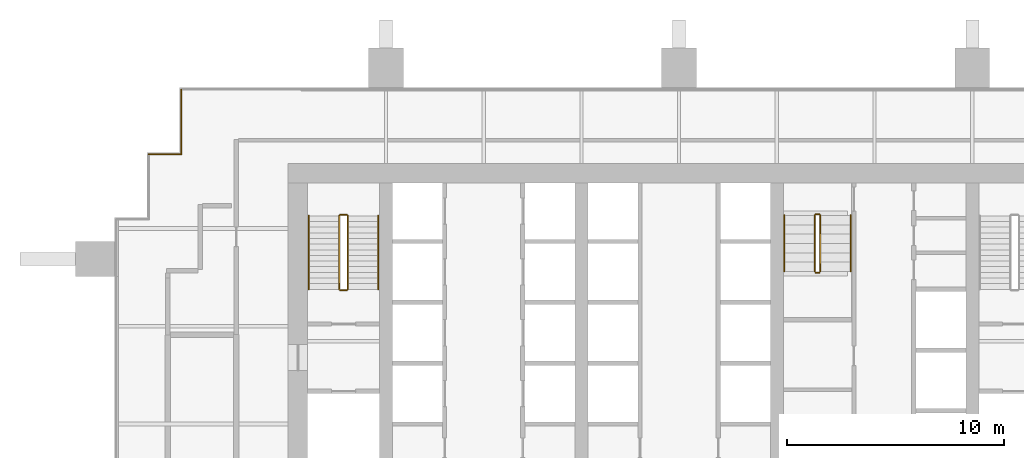
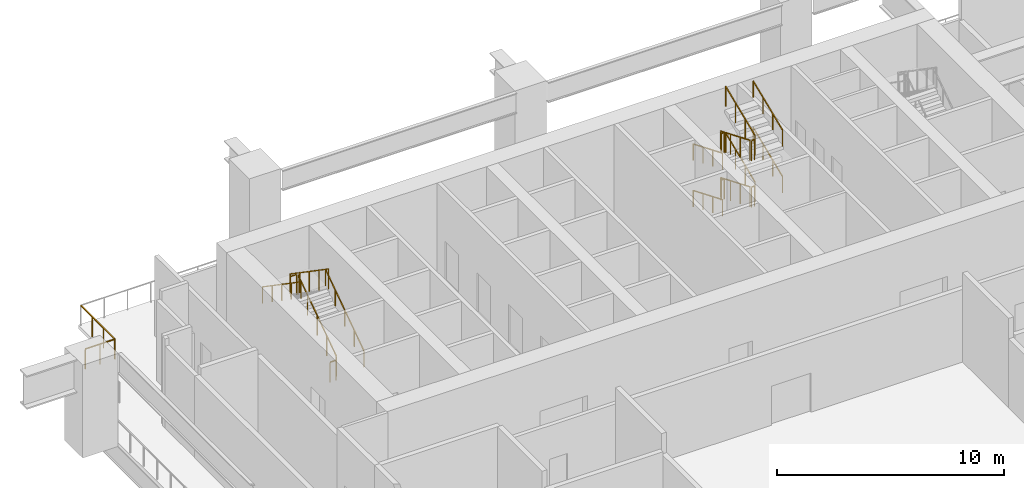
# One storey, part 7 of 9: 20 railings.
"""IFC4 building model written with IfcOpenShell, lengths in metres."""

from ifc_helpers import new_model, si_unit, direction, frame, origin, origin_2d, place, context, subcontext, project, spatial, rectangle, extrude, material, type_object, element, save


model = new_model("IFC4")

# Units and contexts
model_context = context("Model", 3, precision=1e-05, world=origin(), true_north=direction((0.0, 1.0)))
body_context = subcontext(model_context, "Body", "Model", "MODEL_VIEW")
ifc_project = project(units=[si_unit("LENGTHUNIT", "METRE"), si_unit("AREAUNIT", "SQUARE_METRE"), si_unit("VOLUMEUNIT", "CUBIC_METRE"), si_unit("PLANEANGLEUNIT", "RADIAN"), si_unit("MASSUNIT", "GRAM", prefix="KILO")], contexts=[model_context])

# Site, building, storey
site_placement = place(None, origin())
site = spatial("IfcSite", under=ifc_project, at=site_placement, CompositionType="ELEMENT")
building_placement = place(site_placement, origin())
building = spatial("IfcBuilding", under=site, at=building_placement, Name="Rattan Terrace Tower", CompositionType="ELEMENT")
storey_placement = place(building_placement, frame((0.0, 0.0, 115.699951171875)))
storey = spatial("IfcBuildingStorey", under=building, at=storey_placement, Name="L26", CompositionType="ELEMENT", Elevation=115.699951171875)

# Railings
ifc_material_1 = material(Name="Powder-coated steel guard", Category="steel")
railing_type_1 = type_object("IfcRailingType", Name="Core stair guard", PredefinedType="GUARDRAIL", material=ifc_material_1)
railing_1_placement = place(storey_placement, frame((-15.25, 1.699951171875, 0.1787109375)))
element("IfcRailing", 1, at=railing_1_placement, inside=storey, type_object=railing_type_1, Name="L26 S1 stair guard 1", PredefinedType="GUARDRAIL", context=body_context, shape_type="SweptSolid", body=[
    extrude(rectangle(XDim=0.048095703125, YDim=0.048095703125, at=origin_2d()), frame((0.0, 0.0, 1.076171875), z_axis=(0.0, 0.824331935682, 0.566106756552), x_axis=(-1.0, 0.0, 0.0)), (0.0, 0.0, 1.0), 4.100341796875),
    extrude(rectangle(XDim=0.0419921875, YDim=0.0419921875, at=origin_2d()), origin(), (0.0, 0.0, 1.0), 1.052001953125),
    extrude(rectangle(XDim=0.0419921875, YDim=0.0419921875, at=origin_2d()), frame((0.0, 0.844970703125, 0.580322265625)), (0.0, 0.0, 1.0), 1.052001953125),
    extrude(rectangle(XDim=0.0419921875, YDim=0.0419921875, at=origin_2d()), frame((0.0, 1.68994140625, 1.16064453125)), (0.0, 0.0, 1.0), 1.052001953125),
    extrude(rectangle(XDim=0.0419921875, YDim=0.0419921875, at=origin_2d()), frame((0.0, 2.53515625, 1.740966796875)), (0.0, 0.0, 1.0), 1.052001953125),
    extrude(rectangle(XDim=0.0419921875, YDim=0.0419921875, at=origin_2d()), frame((0.0, 3.380126953125, 2.3212890625)), (0.0, 0.0, 1.0), 1.052001953125),
])
railing_2_placement = place(storey_placement, frame((-15.300048828125, 5.1298828125, 2.5)))
element("IfcRailing", 2, at=railing_2_placement, inside=storey, type_object=railing_type_1, Name="L26 S1 stair guard 2", PredefinedType="GUARDRAIL", context=body_context, shape_type="SweptSolid", body=[
    extrude(rectangle(XDim=0.048095703125, YDim=0.048095703125, at=origin_2d()), frame((0.0, 0.0, 1.076171875), z_axis=(-1.0, 0.0, 0.0), x_axis=(0.0, -1.0, 0.0)), (0.0, 0.0, 1.0), 0.300048828125),
    extrude(rectangle(XDim=0.0419921875, YDim=0.0419921875, at=origin_2d()), origin(), (0.0, 0.0, 1.0), 1.052001953125),
    extrude(rectangle(XDim=0.0419921875, YDim=0.0419921875, at=origin_2d()), frame((-0.300048828125, 0.0, 0.0)), (0.0, 0.0, 1.0), 1.052001953125),
])
railing_3_placement = place(storey_placement, frame((-15.64990234375, 5.080078125, 2.6787109375)))
element("IfcRailing", 3, at=railing_3_placement, inside=storey, type_object=railing_type_1, Name="L26 S1 stair guard 3", PredefinedType="GUARDRAIL", context=body_context, shape_type="SweptSolid", body=[
    extrude(rectangle(XDim=0.048095703125, YDim=0.048095703125, at=origin_2d()), frame((0.0, 0.0, 1.076171875), z_axis=(0.0, -0.824331935682, 0.566106756552), x_axis=(1.0, 0.0, 0.0)), (0.0, 0.0, 1.0), 4.100341796875),
    extrude(rectangle(XDim=0.0419921875, YDim=0.0419921875, at=origin_2d()), origin(), (0.0, 0.0, 1.0), 1.052001953125),
    extrude(rectangle(XDim=0.0419921875, YDim=0.0419921875, at=origin_2d()), frame((0.0, -0.844970703125, 0.580322265625)), (0.0, 0.0, 1.0), 1.052001953125),
    extrude(rectangle(XDim=0.0419921875, YDim=0.0419921875, at=origin_2d()), frame((0.0, -1.68994140625, 1.16064453125)), (0.0, 0.0, 1.0), 1.052001953125),
    extrude(rectangle(XDim=0.0419921875, YDim=0.0419921875, at=origin_2d()), frame((0.0, -2.53515625, 1.740966796875)), (0.0, 0.0, 1.0), 1.052001953125),
    extrude(rectangle(XDim=0.0419921875, YDim=0.0419921875, at=origin_2d()), frame((0.0, -3.380126953125, 2.3212890625)), (0.0, 0.0, 1.0), 1.052001953125),
])
railing_4_placement = place(storey_placement, frame((-15.300048828125, 1.64990234375, 0.0)))
element("IfcRailing", 4, at=railing_4_placement, inside=storey, type_object=railing_type_1, Name="L26 S1 stair guard 4", PredefinedType="GUARDRAIL", context=body_context, shape_type="SweptSolid", body=[
    extrude(rectangle(XDim=0.048095703125, YDim=0.048095703125, at=origin_2d()), frame((0.0, 0.0, 1.076171875), z_axis=(-1.0, 0.0, 0.0), x_axis=(0.0, -1.0, 0.0)), (0.0, 0.0, 1.0), 0.300048828125),
    extrude(rectangle(XDim=0.0419921875, YDim=0.0419921875, at=origin_2d()), origin(), (0.0, 0.0, 1.0), 1.052001953125),
    extrude(rectangle(XDim=0.0419921875, YDim=0.0419921875, at=origin_2d()), frame((-0.300048828125, 0.0, 0.0)), (0.0, 0.0, 1.0), 1.052001953125),
])
railing_5_placement = place(storey_placement, frame((6.25, 5.10009765625, 0.1787109375)))
element("IfcRailing", 5, at=railing_5_placement, inside=storey, type_object=railing_type_1, Name="L26 S3 stair guard 1", PredefinedType="GUARDRAIL", context=body_context, shape_type="SweptSolid", body=[
    extrude(rectangle(XDim=0.048095703125, YDim=0.048095703125, at=origin_2d()), frame((0.0, 0.0, 1.076171875), z_axis=(0.0, -0.923551956913, 0.383473314433), x_axis=(1.0, 0.0, 0.0)), (0.0, 0.0, 1.0), 2.793701171875),
    extrude(rectangle(XDim=0.0419921875, YDim=0.0419921875, at=origin_2d()), origin(), (0.0, 0.0, 1.0), 1.052001953125),
    extrude(rectangle(XDim=0.0419921875, YDim=0.0419921875, at=origin_2d()), frame((0.0, -0.860107421875, 0.357177734375)), (0.0, 0.0, 1.0), 1.052001953125),
    extrude(rectangle(XDim=0.0419921875, YDim=0.0419921875, at=origin_2d()), frame((0.0, -1.719970703125, 0.714111328125)), (0.0, 0.0, 1.0), 1.052001953125),
    extrude(rectangle(XDim=0.0419921875, YDim=0.0419921875, at=origin_2d()), frame((0.0, -2.580078125, 1.0712890625)), (0.0, 0.0, 1.0), 1.052001953125),
])
railing_6_placement = place(storey_placement, frame((6.300048828125, 2.469970703125, 1.25)))
element("IfcRailing", 6, at=railing_6_placement, inside=storey, type_object=railing_type_1, Name="L26 S3 stair guard 2", PredefinedType="GUARDRAIL", context=body_context, shape_type="SweptSolid", body=[
    extrude(rectangle(XDim=0.048095703125, YDim=0.048095703125, at=origin_2d()), frame((0.0, 0.0, 1.076171875), z_axis=(1.0, 0.0, 0.0), x_axis=(0.0, 1.0, 0.0)), (0.0, 0.0, 1.0), 0.14990234375),
    extrude(rectangle(XDim=0.0419921875, YDim=0.0419921875, at=origin_2d()), origin(), (0.0, 0.0, 1.0), 1.052001953125),
    extrude(rectangle(XDim=0.0419921875, YDim=0.0419921875, at=origin_2d()), frame((0.14990234375, 0.0, 0.0)), (0.0, 0.0, 1.0), 1.052001953125),
])
railing_7_placement = place(storey_placement, frame((6.5, 2.52001953125, 1.4287109375)))
element("IfcRailing", 7, at=railing_7_placement, inside=storey, type_object=railing_type_1, Name="L26 S3 stair guard 3", PredefinedType="GUARDRAIL", context=body_context, shape_type="SweptSolid", body=[
    extrude(rectangle(XDim=0.048095703125, YDim=0.048095703125, at=origin_2d()), frame((0.0, 0.0, 1.076171875), z_axis=(0.0, 0.923551956913, 0.383473314433), x_axis=(-1.0, 0.0, 0.0)), (0.0, 0.0, 1.0), 2.793701171875),
    extrude(rectangle(XDim=0.0419921875, YDim=0.0419921875, at=origin_2d()), origin(), (0.0, 0.0, 1.0), 1.052001953125),
    extrude(rectangle(XDim=0.0419921875, YDim=0.0419921875, at=origin_2d()), frame((0.0, 0.860107421875, 0.357177734375)), (0.0, 0.0, 1.0), 1.052001953125),
    extrude(rectangle(XDim=0.0419921875, YDim=0.0419921875, at=origin_2d()), frame((0.0, 1.719970703125, 0.714111328125)), (0.0, 0.0, 1.0), 1.052001953125),
    extrude(rectangle(XDim=0.0419921875, YDim=0.0419921875, at=origin_2d()), frame((0.0, 2.580078125, 1.0712890625)), (0.0, 0.0, 1.0), 1.052001953125),
])
railing_8_placement = place(storey_placement, frame((6.300048828125, 5.14990234375, 2.5)))
element("IfcRailing", 8, at=railing_8_placement, inside=storey, type_object=railing_type_1, Name="L26 S3 stair guard 4", PredefinedType="GUARDRAIL", context=body_context, shape_type="SweptSolid", body=[
    extrude(rectangle(XDim=0.048095703125, YDim=0.048095703125, at=origin_2d()), frame((0.0, 0.0, 1.076171875), z_axis=(1.0, 0.0, 0.0), x_axis=(0.0, 1.0, 0.0)), (0.0, 0.0, 1.0), 0.14990234375),
    extrude(rectangle(XDim=0.0419921875, YDim=0.0419921875, at=origin_2d()), origin(), (0.0, 0.0, 1.0), 1.052001953125),
    extrude(rectangle(XDim=0.0419921875, YDim=0.0419921875, at=origin_2d()), frame((0.14990234375, 0.0, 0.0)), (0.0, 0.0, 1.0), 1.052001953125),
])
railing_9_placement = place(storey_placement, frame((6.25, 5.10009765625, 2.6787109375)))
element("IfcRailing", 9, at=railing_9_placement, inside=storey, type_object=railing_type_1, Name="L26 S3 stair guard 5", PredefinedType="GUARDRAIL", context=body_context, shape_type="SweptSolid", body=[
    extrude(rectangle(XDim=0.048095703125, YDim=0.048095703125, at=origin_2d()), frame((0.0, 0.0, 1.076171875), z_axis=(0.0, -0.923551956913, 0.383473314433), x_axis=(1.0, 0.0, 0.0)), (0.0, 0.0, 1.0), 2.793701171875),
    extrude(rectangle(XDim=0.0419921875, YDim=0.0419921875, at=origin_2d()), origin(), (0.0, 0.0, 1.0), 1.052001953125),
    extrude(rectangle(XDim=0.0419921875, YDim=0.0419921875, at=origin_2d()), frame((0.0, -0.860107421875, 0.357177734375)), (0.0, 0.0, 1.0), 1.052001953125),
    extrude(rectangle(XDim=0.0419921875, YDim=0.0419921875, at=origin_2d()), frame((0.0, -1.719970703125, 0.714111328125)), (0.0, 0.0, 1.0), 1.052001953125),
    extrude(rectangle(XDim=0.0419921875, YDim=0.0419921875, at=origin_2d()), frame((0.0, -2.580078125, 1.0712890625)), (0.0, 0.0, 1.0), 1.052001953125),
])
railing_10_placement = place(storey_placement, frame((6.300048828125, 2.469970703125, 3.75)))
element("IfcRailing", 10, at=railing_10_placement, inside=storey, type_object=railing_type_1, Name="L26 S3 stair guard 6", PredefinedType="GUARDRAIL", context=body_context, shape_type="SweptSolid", body=[
    extrude(rectangle(XDim=0.048095703125, YDim=0.048095703125, at=origin_2d()), frame((0.0, 0.0, 1.076171875), z_axis=(1.0, 0.0, 0.0), x_axis=(0.0, 1.0, 0.0)), (0.0, 0.0, 1.0), 0.14990234375),
    extrude(rectangle(XDim=0.0419921875, YDim=0.0419921875, at=origin_2d()), origin(), (0.0, 0.0, 1.0), 1.052001953125),
    extrude(rectangle(XDim=0.0419921875, YDim=0.0419921875, at=origin_2d()), frame((0.14990234375, 0.0, 0.0)), (0.0, 0.0, 1.0), 1.052001953125),
])
railing_11_placement = place(storey_placement, frame((6.5, 2.52001953125, 3.9287109375)))
element("IfcRailing", 11, at=railing_11_placement, inside=storey, type_object=railing_type_1, Name="L26 S3 stair guard 7", PredefinedType="GUARDRAIL", context=body_context, shape_type="SweptSolid", body=[
    extrude(rectangle(XDim=0.048095703125, YDim=0.048095703125, at=origin_2d()), frame((0.0, 0.0, 1.076171875), z_axis=(0.0, 0.923551956913, 0.383473314433), x_axis=(-1.0, 0.0, 0.0)), (0.0, 0.0, 1.0), 2.793701171875),
    extrude(rectangle(XDim=0.0419921875, YDim=0.0419921875, at=origin_2d()), origin(), (0.0, 0.0, 1.0), 1.052001953125),
    extrude(rectangle(XDim=0.0419921875, YDim=0.0419921875, at=origin_2d()), frame((0.0, 0.860107421875, 0.357177734375)), (0.0, 0.0, 1.0), 1.052001953125),
    extrude(rectangle(XDim=0.0419921875, YDim=0.0419921875, at=origin_2d()), frame((0.0, 1.719970703125, 0.714111328125)), (0.0, 0.0, 1.0), 1.052001953125),
    extrude(rectangle(XDim=0.0419921875, YDim=0.0419921875, at=origin_2d()), frame((0.0, 2.580078125, 1.0712890625)), (0.0, 0.0, 1.0), 1.052001953125),
])
railing_12_placement = place(storey_placement, frame((6.300048828125, 5.14990234375, 0.0)))
element("IfcRailing", 12, at=railing_12_placement, inside=storey, type_object=railing_type_1, Name="L26 S3 stair guard 8", PredefinedType="GUARDRAIL", context=body_context, shape_type="SweptSolid", body=[
    extrude(rectangle(XDim=0.048095703125, YDim=0.048095703125, at=origin_2d()), frame((0.0, 0.0, 1.076171875), z_axis=(1.0, 0.0, 0.0), x_axis=(0.0, 1.0, 0.0)), (0.0, 0.0, 1.0), 0.14990234375),
    extrude(rectangle(XDim=0.0419921875, YDim=0.0419921875, at=origin_2d()), origin(), (0.0, 0.0, 1.0), 1.052001953125),
    extrude(rectangle(XDim=0.0419921875, YDim=0.0419921875, at=origin_2d()), frame((0.14990234375, 0.0, 0.0)), (0.0, 0.0, 1.0), 1.052001953125),
])
ifc_material_2 = material(Name="Powder-coated steel handrail", Category="steel")
railing_type_2 = type_object("IfcRailingType", Name="Core stair handrail", PredefinedType="HANDRAIL", material=ifc_material_2)
railing_13_placement = place(storey_placement, frame((-13.85009765625, 1.699951171875, 0.1787109375)))
element("IfcRailing", 13, at=railing_13_placement, inside=storey, type_object=railing_type_2, Name="L26 S1 stair handrail 1", PredefinedType="HANDRAIL", context=body_context, shape_type="SweptSolid", body=[
    extrude(rectangle(XDim=0.048095703125, YDim=0.048095703125, at=origin_2d()), frame((0.0, 0.0, 0.8759765625), z_axis=(0.0, 0.824331935682, 0.566106756552), x_axis=(-1.0, 0.0, 0.0)), (0.0, 0.0, 1.0), 4.100341796875),
    extrude(rectangle(XDim=0.0419921875, YDim=0.0419921875, at=origin_2d()), origin(), (0.0, 0.0, 1.0), 0.851806640625),
    extrude(rectangle(XDim=0.0419921875, YDim=0.0419921875, at=origin_2d()), frame((0.0, 0.844970703125, 0.580322265625)), (0.0, 0.0, 1.0), 0.851806640625),
    extrude(rectangle(XDim=0.0419921875, YDim=0.0419921875, at=origin_2d()), frame((0.0, 1.68994140625, 1.16064453125)), (0.0, 0.0, 1.0), 0.851806640625),
    extrude(rectangle(XDim=0.0419921875, YDim=0.0419921875, at=origin_2d()), frame((0.0, 2.53515625, 1.740966796875)), (0.0, 0.0, 1.0), 0.851806640625),
    extrude(rectangle(XDim=0.0419921875, YDim=0.0419921875, at=origin_2d()), frame((0.0, 3.380126953125, 2.3212890625)), (0.0, 0.0, 1.0), 0.851806640625),
])
railing_14_placement = place(storey_placement, frame((-17.050048828125, 5.080078125, 2.6787109375)))
element("IfcRailing", 14, at=railing_14_placement, inside=storey, type_object=railing_type_2, Name="L26 S1 stair handrail 2", PredefinedType="HANDRAIL", context=body_context, shape_type="SweptSolid", body=[
    extrude(rectangle(XDim=0.048095703125, YDim=0.048095703125, at=origin_2d()), frame((0.0, 0.0, 0.8759765625), z_axis=(0.0, -0.824331935682, 0.566106756552), x_axis=(1.0, 0.0, 0.0)), (0.0, 0.0, 1.0), 4.100341796875),
    extrude(rectangle(XDim=0.0419921875, YDim=0.0419921875, at=origin_2d()), origin(), (0.0, 0.0, 1.0), 0.851806640625),
    extrude(rectangle(XDim=0.0419921875, YDim=0.0419921875, at=origin_2d()), frame((0.0, -0.844970703125, 0.580322265625)), (0.0, 0.0, 1.0), 0.851806640625),
    extrude(rectangle(XDim=0.0419921875, YDim=0.0419921875, at=origin_2d()), frame((0.0, -1.68994140625, 1.16064453125)), (0.0, 0.0, 1.0), 0.851806640625),
    extrude(rectangle(XDim=0.0419921875, YDim=0.0419921875, at=origin_2d()), frame((0.0, -2.53515625, 1.740966796875)), (0.0, 0.0, 1.0), 0.851806640625),
    extrude(rectangle(XDim=0.0419921875, YDim=0.0419921875, at=origin_2d()), frame((0.0, -3.380126953125, 2.3212890625)), (0.0, 0.0, 1.0), 0.851806640625),
])
railing_15_placement = place(storey_placement, frame((4.85009765625, 5.10009765625, 0.1787109375)))
element("IfcRailing", 15, at=railing_15_placement, inside=storey, type_object=railing_type_2, Name="L26 S3 stair handrail 1", PredefinedType="HANDRAIL", context=body_context, shape_type="SweptSolid", body=[
    extrude(rectangle(XDim=0.048095703125, YDim=0.048095703125, at=origin_2d()), frame((0.0, 0.0, 0.8759765625), z_axis=(0.0, -0.923551956913, 0.383473314433), x_axis=(1.0, 0.0, 0.0)), (0.0, 0.0, 1.0), 2.793701171875),
    extrude(rectangle(XDim=0.0419921875, YDim=0.0419921875, at=origin_2d()), origin(), (0.0, 0.0, 1.0), 0.851806640625),
    extrude(rectangle(XDim=0.0419921875, YDim=0.0419921875, at=origin_2d()), frame((0.0, -0.860107421875, 0.357177734375)), (0.0, 0.0, 1.0), 0.851806640625),
    extrude(rectangle(XDim=0.0419921875, YDim=0.0419921875, at=origin_2d()), frame((0.0, -1.719970703125, 0.714111328125)), (0.0, 0.0, 1.0), 0.851806640625),
    extrude(rectangle(XDim=0.0419921875, YDim=0.0419921875, at=origin_2d()), frame((0.0, -2.580078125, 1.0712890625)), (0.0, 0.0, 1.0), 0.851806640625),
])
railing_16_placement = place(storey_placement, frame((7.89990234375, 2.52001953125, 1.4287109375)))
element("IfcRailing", 16, at=railing_16_placement, inside=storey, type_object=railing_type_2, Name="L26 S3 stair handrail 2", PredefinedType="HANDRAIL", context=body_context, shape_type="SweptSolid", body=[
    extrude(rectangle(XDim=0.048095703125, YDim=0.048095703125, at=origin_2d()), frame((0.0, 0.0, 0.8759765625), z_axis=(0.0, 0.923551956913, 0.383473314433), x_axis=(-1.0, 0.0, 0.0)), (0.0, 0.0, 1.0), 2.793701171875),
    extrude(rectangle(XDim=0.0419921875, YDim=0.0419921875, at=origin_2d()), origin(), (0.0, 0.0, 1.0), 0.851806640625),
    extrude(rectangle(XDim=0.0419921875, YDim=0.0419921875, at=origin_2d()), frame((0.0, 0.860107421875, 0.357177734375)), (0.0, 0.0, 1.0), 0.851806640625),
    extrude(rectangle(XDim=0.0419921875, YDim=0.0419921875, at=origin_2d()), frame((0.0, 1.719970703125, 0.714111328125)), (0.0, 0.0, 1.0), 0.851806640625),
    extrude(rectangle(XDim=0.0419921875, YDim=0.0419921875, at=origin_2d()), frame((0.0, 2.580078125, 1.0712890625)), (0.0, 0.0, 1.0), 0.851806640625),
])
railing_17_placement = place(storey_placement, frame((4.85009765625, 5.10009765625, 2.6787109375)))
element("IfcRailing", 17, at=railing_17_placement, inside=storey, type_object=railing_type_2, Name="L26 S3 stair handrail 3", PredefinedType="HANDRAIL", context=body_context, shape_type="SweptSolid", body=[
    extrude(rectangle(XDim=0.048095703125, YDim=0.048095703125, at=origin_2d()), frame((0.0, 0.0, 0.8759765625), z_axis=(0.0, -0.923551956913, 0.383473314433), x_axis=(1.0, 0.0, 0.0)), (0.0, 0.0, 1.0), 2.793701171875),
    extrude(rectangle(XDim=0.0419921875, YDim=0.0419921875, at=origin_2d()), origin(), (0.0, 0.0, 1.0), 0.851806640625),
    extrude(rectangle(XDim=0.0419921875, YDim=0.0419921875, at=origin_2d()), frame((0.0, -0.860107421875, 0.357177734375)), (0.0, 0.0, 1.0), 0.851806640625),
    extrude(rectangle(XDim=0.0419921875, YDim=0.0419921875, at=origin_2d()), frame((0.0, -1.719970703125, 0.714111328125)), (0.0, 0.0, 1.0), 0.851806640625),
    extrude(rectangle(XDim=0.0419921875, YDim=0.0419921875, at=origin_2d()), frame((0.0, -2.580078125, 1.0712890625)), (0.0, 0.0, 1.0), 0.851806640625),
])
railing_18_placement = place(storey_placement, frame((7.89990234375, 2.52001953125, 3.9287109375)))
element("IfcRailing", 18, at=railing_18_placement, inside=storey, type_object=railing_type_2, Name="L26 S3 stair handrail 4", PredefinedType="HANDRAIL", context=body_context, shape_type="SweptSolid", body=[
    extrude(rectangle(XDim=0.048095703125, YDim=0.048095703125, at=origin_2d()), frame((0.0, 0.0, 0.8759765625), z_axis=(0.0, 0.923551956913, 0.383473314433), x_axis=(-1.0, 0.0, 0.0)), (0.0, 0.0, 1.0), 2.793701171875),
    extrude(rectangle(XDim=0.0419921875, YDim=0.0419921875, at=origin_2d()), origin(), (0.0, 0.0, 1.0), 0.851806640625),
    extrude(rectangle(XDim=0.0419921875, YDim=0.0419921875, at=origin_2d()), frame((0.0, 0.860107421875, 0.357177734375)), (0.0, 0.0, 1.0), 0.851806640625),
    extrude(rectangle(XDim=0.0419921875, YDim=0.0419921875, at=origin_2d()), frame((0.0, 1.719970703125, 0.714111328125)), (0.0, 0.0, 1.0), 0.851806640625),
    extrude(rectangle(XDim=0.0419921875, YDim=0.0419921875, at=origin_2d()), frame((0.0, 2.580078125, 1.0712890625)), (0.0, 0.0, 1.0), 0.851806640625),
])
ifc_material_3 = material(Name="Stainless steel 316", Category="steel")
railing_type_3 = type_object("IfcRailingType", Name="Facade Guard 1100", PredefinedType="GUARDRAIL", material=ifc_material_3)
railing_19_placement = place(storey_placement, frame((-24.419921875, 7.919921875, 0.0)))
element("IfcRailing", 19, at=railing_19_placement, inside=storey, type_object=railing_type_3, Name="Guard L26-9", PredefinedType="GUARDRAIL", context=body_context, shape_type="SweptSolid", body=[
    extrude(rectangle(XDim=0.048095703125, YDim=0.048095703125, at=origin_2d()), frame((0.0, 0.0, 1.076171875), z_axis=(1.0, 0.0, 0.0), x_axis=(0.0, 1.0, 0.0)), (0.0, 0.0, 1.0), 1.5),
    extrude(rectangle(XDim=0.0419921875, YDim=0.0419921875, at=origin_2d()), origin(), (0.0, 0.0, 1.0), 1.052001953125),
    extrude(rectangle(XDim=0.0419921875, YDim=0.0419921875, at=origin_2d()), frame((0.75, 0.0, 0.0)), (0.0, 0.0, 1.0), 1.052001953125),
])
railing_20_placement = place(storey_placement, frame((-22.919921875, 7.919921875, 0.0)))
element("IfcRailing", 20, at=railing_20_placement, inside=storey, type_object=railing_type_3, Name="Guard L26-10", PredefinedType="GUARDRAIL", context=body_context, shape_type="SweptSolid", body=[
    extrude(rectangle(XDim=0.048095703125, YDim=0.048095703125, at=origin_2d()), frame((0.0, 0.0, 1.076171875), z_axis=(0.0, 1.0, 0.0), x_axis=(-1.0, 0.0, 0.0)), (0.0, 0.0, 1.0), 3.0),
    extrude(rectangle(XDim=0.0419921875, YDim=0.0419921875, at=origin_2d()), origin(), (0.0, 0.0, 1.0), 1.052001953125),
    extrude(rectangle(XDim=0.0419921875, YDim=0.0419921875, at=origin_2d()), frame((0.0, 1.0, 0.0)), (0.0, 0.0, 1.0), 1.052001953125),
    extrude(rectangle(XDim=0.0419921875, YDim=0.0419921875, at=origin_2d()), frame((0.0, 2.0, 0.0)), (0.0, 0.0, 1.0), 1.052001953125),
])

save(model, "model.ifc")
